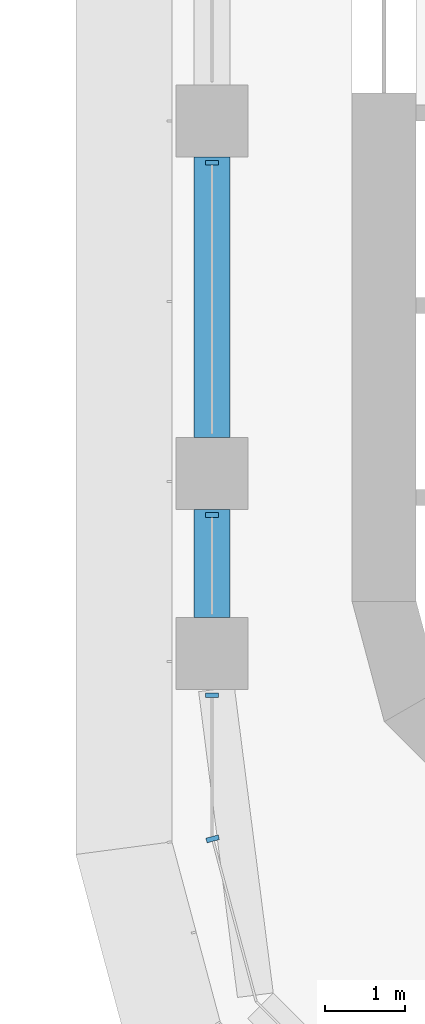
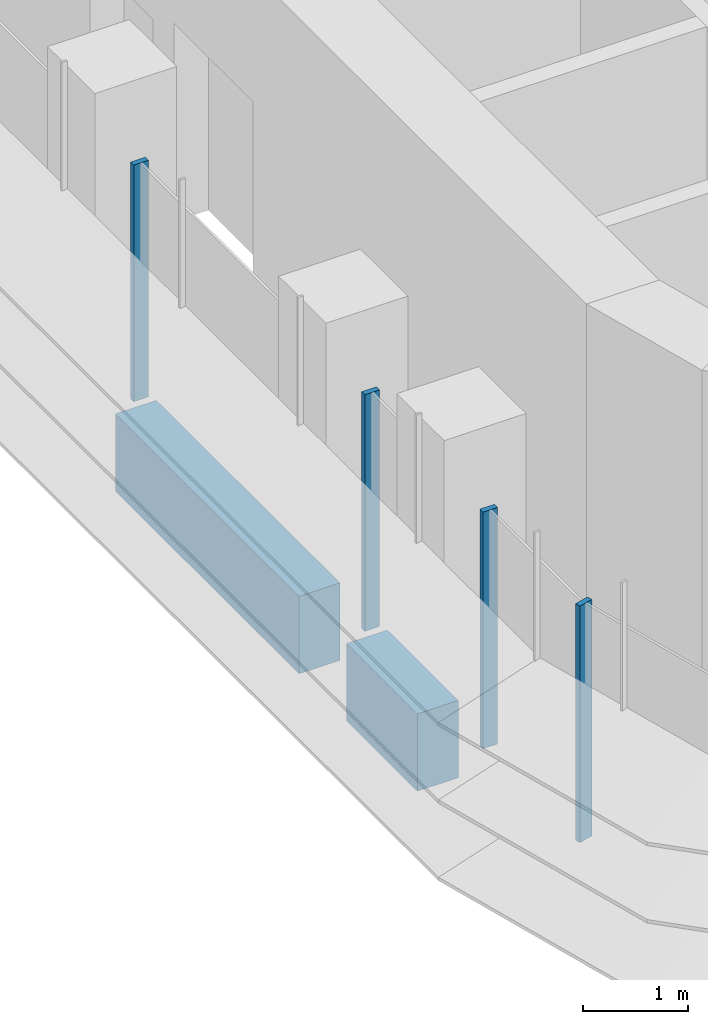
# One storey, part 2 of 23: 4 members, 2 beams, 2 elements without a shape of their own.
"""IFC4 building model written with IfcOpenShell, lengths in metres."""

from ifc_helpers import new_model, si_unit, direction, frame, origin, origin_2d, place, context, subcontext, project, spatial, polyline, rectangle, outline, extrude, source, transform, mapped, material, material_profile, profile_set, type_object, element, aggregate, save


model = new_model("IFC4")

# Units and contexts
model_context = context("Model", 3, precision=1e-05, world=origin(), true_north=direction((0.0, 1.0)))
body_context = subcontext(model_context, "Body", "Model", "MODEL_VIEW")
ifc_project = project(units=[si_unit("LENGTHUNIT", "METRE"), si_unit("AREAUNIT", "SQUARE_METRE"), si_unit("VOLUMEUNIT", "CUBIC_METRE"), si_unit("PLANEANGLEUNIT", "RADIAN"), si_unit("MASSUNIT", "GRAM", prefix="KILO")], contexts=[model_context])

# Site, building, storey
site_placement = place(None, origin())
site = spatial("IfcSite", under=ifc_project, at=site_placement, CompositionType="ELEMENT")
building_placement = place(site_placement, origin())
building = spatial("IfcBuilding", under=site, at=building_placement, Name="Zarbagh Exchange Tower", CompositionType="ELEMENT")
storey_placement = place(building_placement, frame((0.0, 0.0, 86.60009765625)))
storey = spatial("IfcBuildingStorey", under=building, at=storey_placement, Name="L19", CompositionType="ELEMENT", Elevation=86.60009765625)

# Beams
ifc_material_1 = material(Name="Concrete C60/75", Category="concrete")
ifc_material_profile = material_profile(ifc_material_1, rectangle(XDim=0.449951171875, YDim=0.89990234375, at=origin_2d()), Name="RC spandrel beam 450 x 900 C60/75")
ifc_profile_set = profile_set([ifc_material_profile], Name="Concrete C60/75")
beam_type = type_object("IfcBeamType", Name="RC spandrel beam 450 x 900 C60/75", PredefinedType="SPANDREL", material=ifc_profile_set)
beam_1_placement = place(storey_placement, frame((-6.25, -26.449951171875, -0.60009765625), z_axis=(0.0, 1.0, 0.0), x_axis=(-1.0, 0.0, 0.0)))
element("IfcBeam", 1, at=beam_1_placement, inside=storey, type_object=beam_type, Name="RC spandrel beam", PredefinedType="SPANDREL", context=body_context, shape_type="SweptSolid", body=[
    extrude(rectangle(XDim=0.449951171875, YDim=0.89990234375, at=origin_2d()), origin(), (0.0, 0.0, 1.0), 1.349853515625),
])
beam_2_placement = place(storey_placement, frame((-6.25, -24.199951171875, -0.60009765625), z_axis=(0.0, 1.0, 0.0), x_axis=(-1.0, 0.0, 0.0)))
element("IfcBeam", 2, at=beam_2_placement, inside=storey, type_object=beam_type, Name="RC spandrel beam", PredefinedType="SPANDREL", context=body_context, shape_type="SweptSolid", body=[
    extrude(rectangle(XDim=0.449951171875, YDim=0.89990234375, at=origin_2d()), origin(), (0.0, 0.0, 1.0), 3.5),
])

# Curtain wall, members
ifc_material_2 = material(Name="Anodised aluminium frame and glazing", Category="aluminium")
curtain_wall_type = type_object("IfcCurtainWallType", Name="CWA Ribbon glazing, lower zones", PredefinedType="NOTDEFINED", material=ifc_material_2)
curtain_wall_1_placement = place(storey_placement, origin())
curtain_wall_1 = element("IfcCurtainWall", 3, at=curtain_wall_1_placement, inside=storey, type_object=curtain_wall_type, Name="CWA44 curtain wall", PredefinedType="NOTDEFINED")
ifc_material_3 = material(Name="Anodised aluminium frame", Category="aluminium")
member_type = type_object("IfcMemberType", Name="MUA Mullion, anodised aluminium frame", PredefinedType="MULLION", material=ifc_material_3)
shared_shape = source(origin(), body_context, "Body", "SweptSolid", [
    extrude(outline(polyline([(0.0, -0.080078125), (0.06005859375, -0.080078125), (0.06005859375, 0.080078125), (0.0, 0.080078125), (0.0, -0.080078125)])), origin(), (0.0, 0.0, 1.0), 2.75),
])
placement = place(storey_placement, origin())
member_1 = element("IfcMember", 4, at=placement, type_object=member_type, Name="CWA44 mullion 3.1", PredefinedType="MULLION", context=body_context, shape_type="MappedRepresentation", body=[
    mapped(shared_shape, transform((-6.25, -20.739990234375, 0.0), x_axis=(0.0, -1.0, 0.0), y_axis=(1.0, 0.0, 0.0), z_axis=(0.0, 0.0, 1.0))),
])
member_2 = element("IfcMember", 5, at=placement, type_object=member_type, Name="CWA44 mullion 4.1", PredefinedType="MULLION", context=body_context, shape_type="MappedRepresentation", body=[
    mapped(shared_shape, transform((-6.25, -25.14013671875, 0.0), x_axis=(0.0, -1.0, 0.0), y_axis=(1.0, 0.0, 0.0), z_axis=(0.0, 0.0, 1.0))),
])
member_3 = element("IfcMember", 6, at=placement, type_object=member_type, Name="CWA44 mullion 5.1", PredefinedType="MULLION", context=body_context, shape_type="MappedRepresentation", body=[
    mapped(shared_shape, transform((-6.25, -27.39013671875, 0.0), x_axis=(0.0, -1.0, 0.0), y_axis=(1.0, 0.0, 0.0), z_axis=(0.0, 0.0, 1.0))),
])
aggregate(curtain_wall_1, [member_1, member_2, member_3])

# Curtain wall, member
curtain_wall_2_placement = place(storey_placement, origin())
curtain_wall_2 = element("IfcCurtainWall", 7, at=curtain_wall_2_placement, inside=storey, type_object=curtain_wall_type, Name="CWA45 curtain wall", PredefinedType="NOTDEFINED")
member_4 = element("IfcMember", 8, at=placement, type_object=member_type, Name="CWA45 mullion 1.1", PredefinedType="MULLION", context=body_context, shape_type="MappedRepresentation", body=[
    mapped(shared_shape, transform((-6.25, -29.18408203125, 0.0), x_axis=(0.258824779902, -0.965924289636, 0.0), y_axis=(0.965924289636, 0.258824779902, 0.0), z_axis=(0.0, 0.0, 1.0))),
])
aggregate(curtain_wall_2, [member_4])

save(model, "model.ifc")
